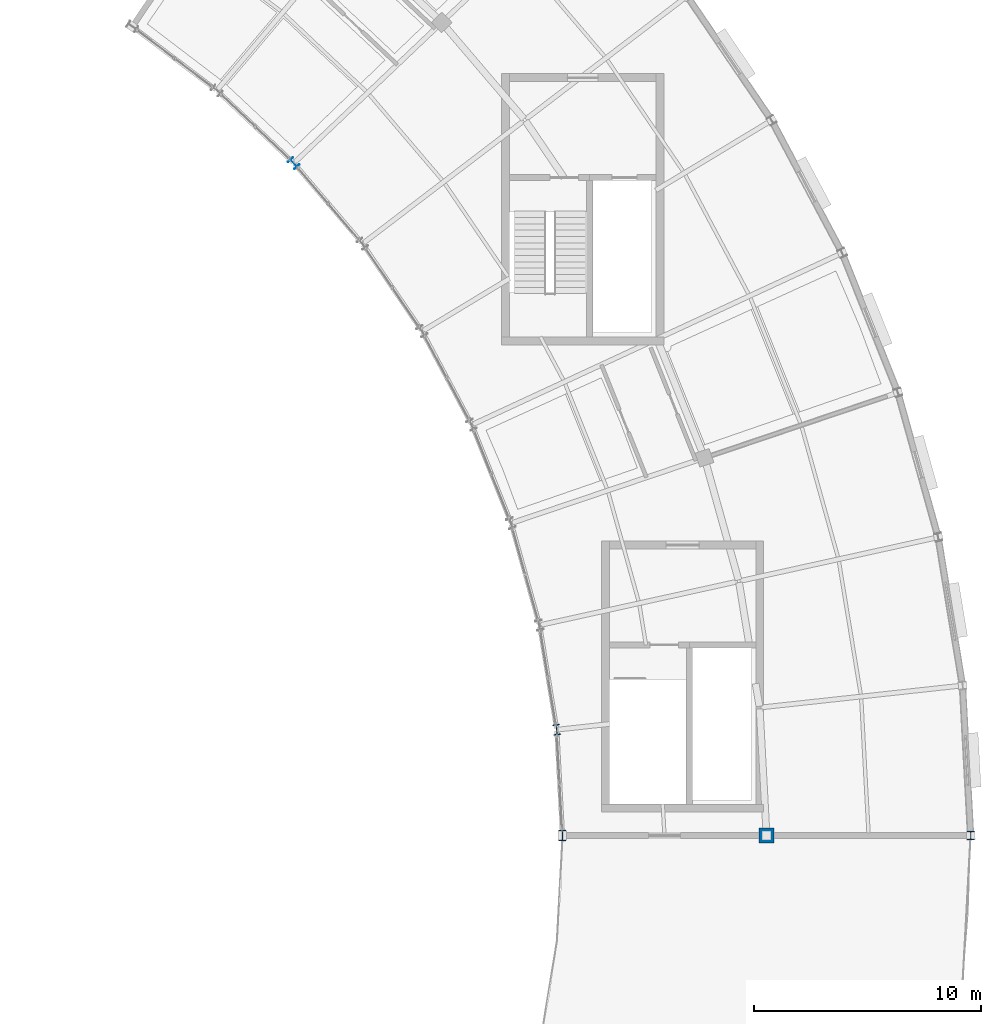
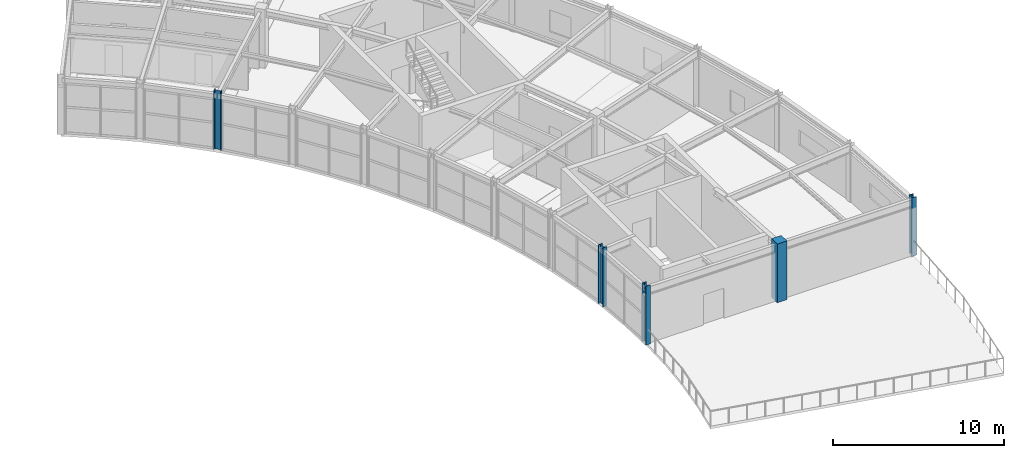
# One storey, part 2 of 29: 5 columns.
"""IFC4 building model written with IfcOpenShell, lengths in metres."""

from ifc_helpers import new_model, si_unit, direction, frame, origin, origin_2d, place, context, subcontext, project, spatial, rectangle, i_section, extrude, material, material_profile, profile_set, type_object, element, save


model = new_model("IFC4")

# Units and contexts
model_context = context("Model", 3, precision=1e-05, world=origin(), true_north=direction((0.0, 1.0)))
body_context = subcontext(model_context, "Body", "Model", "MODEL_VIEW")
ifc_project = project(units=[si_unit("LENGTHUNIT", "METRE"), si_unit("AREAUNIT", "SQUARE_METRE"), si_unit("VOLUMEUNIT", "CUBIC_METRE"), si_unit("PLANEANGLEUNIT", "RADIAN"), si_unit("MASSUNIT", "GRAM", prefix="KILO")], contexts=[model_context])

# Site, building, storey
site_placement = place(None, origin())
site = spatial("IfcSite", under=ifc_project, at=site_placement, CompositionType="ELEMENT")
building_placement = place(site_placement, origin())
building = spatial("IfcBuilding", under=site, at=building_placement, Name="Tarnveldt Headland Concert Hall", CompositionType="ELEMENT")
storey_placement = place(building_placement, frame((0.0, 0.0, 18.60009765625)))
storey = spatial("IfcBuildingStorey", under=building, at=storey_placement, Name="L04", CompositionType="ELEMENT", Elevation=18.60009765625)

# Columns
ifc_material_1 = material(Name="Concrete C40/50", Category="concrete")
ifc_material_profile_1 = material_profile(ifc_material_1, rectangle(XDim=0.64990234375, YDim=0.64990234375, at=origin_2d()), Name="RC 650x650", Category="concrete")
ifc_profile_set_1 = profile_set([ifc_material_profile_1], Name="Concrete C40/50")
column_type_1 = type_object("IfcColumnType", Name="CC-650", PredefinedType="COLUMN", material=ifc_profile_set_1)
column_1_placement = place(storey_placement, frame((169.5, 60.0, 0.0), z_axis=(0.0, 0.0, 1.0), x_axis=(1.0, 0.0, 0.0)))
element("IfcColumn", 1, at=column_1_placement, inside=storey, type_object=column_type_1, Name="Column V3C09MD L04", PredefinedType="COLUMN", context=body_context, shape_type="SweptSolid", body=[
    extrude(rectangle(XDim=0.64990234375, YDim=0.64990234375, at=origin_2d()), origin(), (0.0, 0.0, 1.0), 4.199951171875),
])
ifc_material_2 = material(Name="Steel S355", Category="steel")
ifc_material_profile_2 = material_profile(ifc_material_2, i_section(OverallWidth=0.300048828125, OverallDepth=0.360107421875, WebThickness=0.012451171875, FlangeThickness=0.0224609375, FilletRadius=0.027099609375, at=origin_2d()), Name="HEB360", Category="steel")
ifc_profile_set_2 = profile_set([ifc_material_profile_2], Name="Steel S355")
column_type_2 = type_object("IfcColumnType", Name="SC-HEB360", PredefinedType="COLUMN", material=ifc_profile_set_2)
column_2_placement = place(storey_placement, frame((178.5, 60.0, 0.0), z_axis=(0.0, 0.0, 1.0), x_axis=(1.0, 0.0, 0.0)))
element("IfcColumn", 2, at=column_2_placement, inside=storey, type_object=column_type_2, Name="Column V3C09OUT L04", PredefinedType="COLUMN", context=body_context, shape_type="SweptSolid", body=[
    extrude(i_section(OverallWidth=0.300048828125, OverallDepth=0.360107421875, WebThickness=0.012451171875, FlangeThickness=0.0224609375, FilletRadius=0.027099609375, at=origin_2d()), origin(), (0.0, 0.0, 1.0), 4.199951171875),
])
ifc_material_profile_3 = material_profile(ifc_material_2, i_section(OverallWidth=0.300048828125, OverallDepth=0.449951171875, WebThickness=0.013916015625, FlangeThickness=0.02587890625, FilletRadius=0.027099609375, at=origin_2d()), Name="HEB450", Category="steel")
ifc_profile_set_3 = profile_set([ifc_material_profile_3], Name="Steel S355")
column_type_3 = type_object("IfcColumnType", Name="SC-HEB450", PredefinedType="COLUMN", material=ifc_profile_set_3)
for number, where, z_axis, x_axis, name in (
    (3, (160.5, 60.0, 0.0), (0.0, 0.0, 1.0), (1.0, 0.0, 0.0), "Column V3C09IN L04"),
    (4, (160.24658203125, 64.66064453125, 0.0), (0.0, 0.0, 1.0), (0.994113204519, 0.108346373271, 0.0), "Column V3C10IN L04"),
    (5, (148.662353515625, 89.62939453125, 0.0), (0.0, 0.0, 1.0), (0.724653130187, 0.689113808387, 0.0), "Column V3C16IN L04"),
):
    element("IfcColumn", number, at=place(storey_placement, frame(where, z_axis=z_axis, x_axis=x_axis)), inside=storey, type_object=column_type_3, Name=name, PredefinedType="COLUMN", context=body_context, shape_type="SweptSolid", body=[
        extrude(i_section(OverallWidth=0.300048828125, OverallDepth=0.449951171875, WebThickness=0.013916015625, FlangeThickness=0.02587890625, FilletRadius=0.027099609375, at=origin_2d()), origin(), (0.0, 0.0, 1.0), 4.199951171875),
    ])

save(model, "model.ifc")
